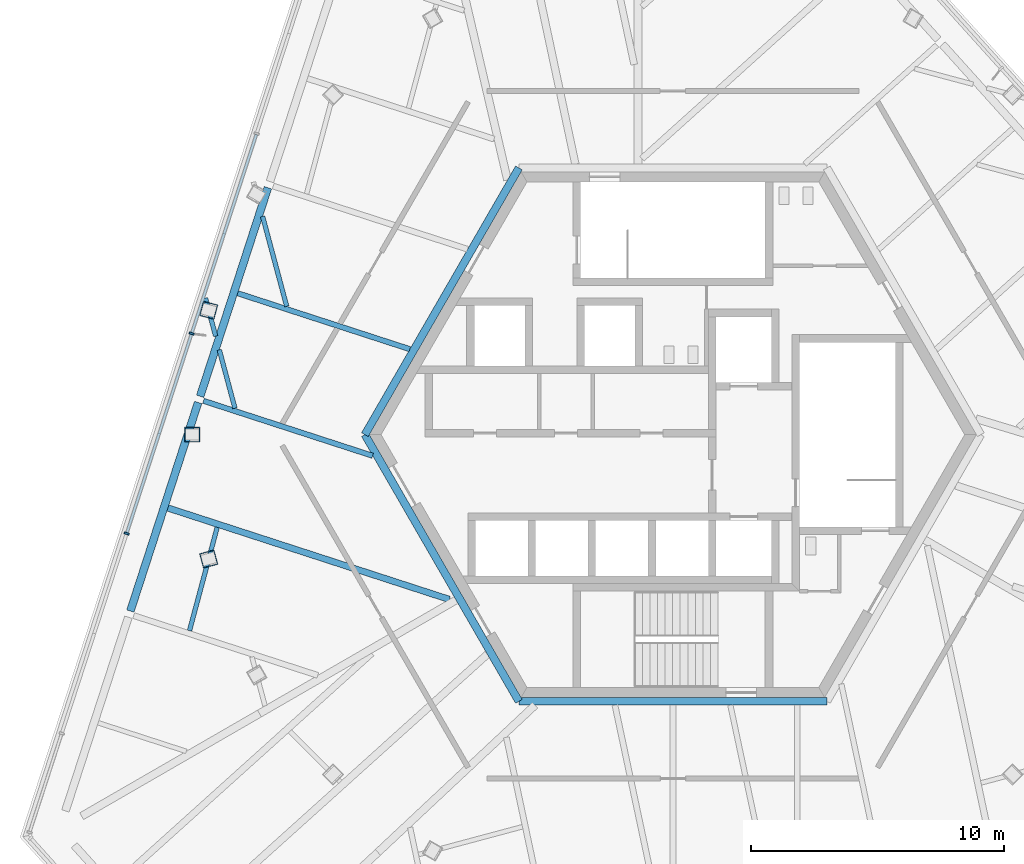
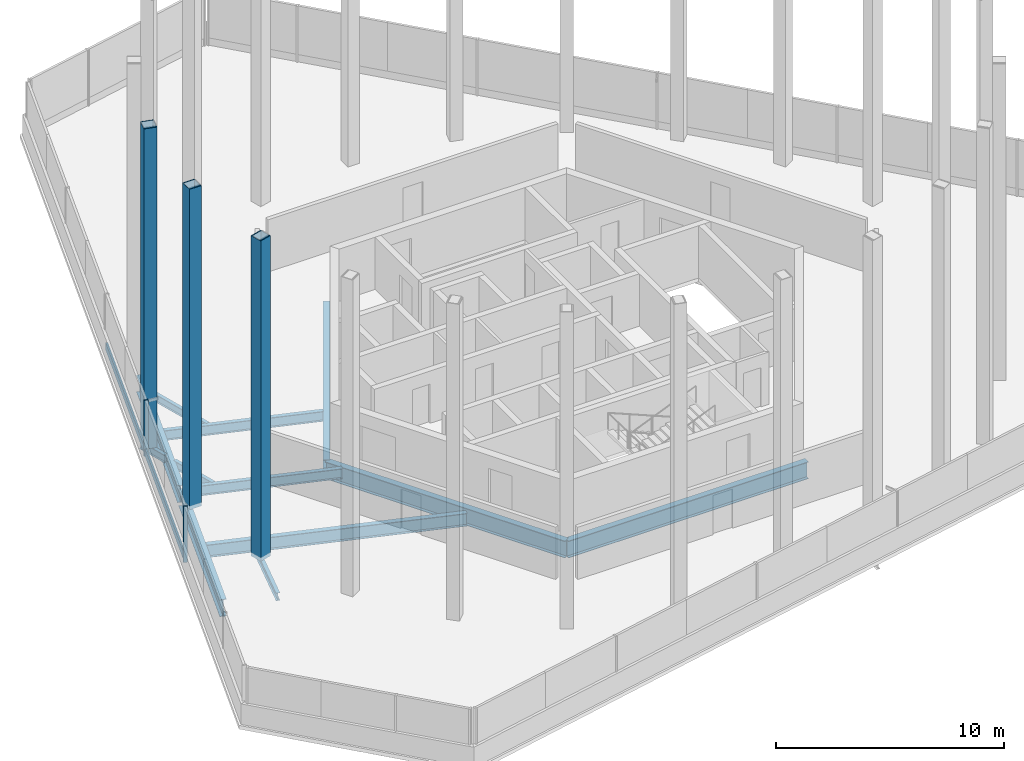
# One storey, part 2 of 11: 12 beams, 7 members, 1 element without a shape of its own.
"""IFC4 building model written with IfcOpenShell, lengths in metres."""

from ifc_helpers import new_model, si_unit, direction, frame, origin, origin_2d, place, context, subcontext, project, spatial, rectangle, hollow_rectangle, i_section, extrude, source, transform, mapped, material, material_profile, profile_set, type_object, element, aggregate, save


model = new_model("IFC4")

# Units and contexts
model_context = context("Model", 3, precision=1e-05, world=origin(), true_north=direction((0.0, 1.0)))
body_context = subcontext(model_context, "Body", "Model", "MODEL_VIEW")
ifc_project = project(units=[si_unit("LENGTHUNIT", "METRE"), si_unit("AREAUNIT", "SQUARE_METRE"), si_unit("VOLUMEUNIT", "CUBIC_METRE"), si_unit("PLANEANGLEUNIT", "RADIAN"), si_unit("MASSUNIT", "GRAM", prefix="KILO")], contexts=[model_context])

# Site, building, storey
site_placement = place(None, origin())
site = spatial("IfcSite", under=ifc_project, at=site_placement, CompositionType="ELEMENT")
building_placement = place(site_placement, origin())
building = spatial("IfcBuilding", under=site, at=building_placement, Name="Triune Harvest Tower", CompositionType="ELEMENT")
storey_placement = place(building_placement, frame((0.0, 0.0, 296.699951171875)))
storey = spatial("IfcBuildingStorey", under=building, at=storey_placement, Name="L78", CompositionType="ELEMENT", Elevation=296.699951171875)

# Beams
ifc_material_1 = material(Name="Steel ASTM A992 Gr 50", Category="steel")
ifc_material_profile_1 = material_profile(ifc_material_1, i_section(OverallWidth=0.180908203125, OverallDepth=0.41650390625, WebThickness=0.010986328125, FlangeThickness=0.01806640625, at=origin_2d()), Name="W16x57")
ifc_profile_set_1 = profile_set([ifc_material_profile_1], Name="Steel ASTM A992 Gr 50")
beam_type_1 = type_object("IfcBeamType", Name="CJ-1 Crown deck joist W16x57", PredefinedType="JOIST", material=ifc_profile_set_1)
beam_1_placement = place(storey_placement, frame((-18.078369140625, 3.893798828125, -0.408203125), z_axis=(-0.258704793156, 0.965956432764, 0.0), x_axis=(-0.965956432764, -0.258704793156, 0.0)))
element("IfcBeam", 1, at=beam_1_placement, inside=storey, type_object=beam_type_1, Name="beam/L78/CR14", PredefinedType="JOIST", context=body_context, shape_type="SweptSolid", body=[
    extrude(i_section(OverallWidth=0.180908203125, OverallDepth=0.41650390625, WebThickness=0.010986328125, FlangeThickness=0.01806640625, at=origin_2d()), origin(), (0.0, 0.0, 1.0), 1.56005859375),
])
ifc_material_2 = material(Name="Steel ASTM A992 Gr 50", Category="steel")
ifc_material_profile_2 = material_profile(ifc_material_2, i_section(OverallWidth=0.180908203125, OverallDepth=0.41650390625, WebThickness=0.010986328125, FlangeThickness=0.01806640625, at=origin_2d()), Name="W16x57")
ifc_profile_set_2 = profile_set([ifc_material_profile_2], Name="Steel ASTM A992 Gr 50")
beam_type_2 = type_object("IfcBeamType", Name="JT-1 Floor joist W16x57", PredefinedType="JOIST", material=ifc_profile_set_2)
beam_2_placement = place(storey_placement, frame((-18.017333984375, -3.66650390625, -0.408203125), z_axis=(-0.25883035802, -0.965922794931, 0.0), x_axis=(0.965922794931, -0.25883035802, 0.0)))
element("IfcBeam", 2, at=beam_2_placement, inside=storey, type_object=beam_type_2, Name="beam/L78/CR16", PredefinedType="JOIST", context=body_context, shape_type="SweptSolid", body=[
    extrude(i_section(OverallWidth=0.180908203125, OverallDepth=0.41650390625, WebThickness=0.010986328125, FlangeThickness=0.01806640625, at=origin_2d()), origin(), (0.0, 0.0, 1.0), 4.228515625),
])
ifc_material_3 = material(Name="Steel ASTM A992 Gr 50", Category="steel")
ifc_material_profile_3 = material_profile(ifc_material_3, i_section(OverallWidth=0.3046875, OverallDepth=0.914306640625, WebThickness=0.0166015625, FlangeThickness=0.02587890625, at=origin_2d()), Name="W36x160")
ifc_profile_set_3 = profile_set([ifc_material_profile_3], Name="Steel ASTM A992 Gr 50")
beam_type_3 = type_object("IfcBeamType", Name="CG-1 Core ring girder W36x160", PredefinedType="BEAM", material=ifc_profile_set_3)
shared_shape_1 = source(origin(), body_context, "Body", "SweptSolid", [
    extrude(i_section(OverallWidth=0.3046875, OverallDepth=0.914306640625, WebThickness=0.0166015625, FlangeThickness=0.02587890625, at=origin_2d()), origin(), (0.0, 0.0, 1.0), 12.176025390625),
])
for number, where, z_axis, x_axis, name in (
    (3, (-6.087890625, 10.544677734375, -0.6572265625), (-0.5000099932, -0.866019634131, 0.0), (0.866019634131, -0.5000099932, 0.0), "beam/L78/CG3"),
    (4, (-12.176025390625, 0.0, -0.6572265625), (0.5000099932, -0.866019634131, 0.0), (0.866019634131, 0.5000099932, 0.0), "beam/L78/CG4"),
):
    element("IfcBeam", number, at=place(storey_placement, frame(where, z_axis=z_axis, x_axis=x_axis)), inside=storey, type_object=beam_type_3, Name=name, PredefinedType="BEAM", context=body_context, shape_type="MappedRepresentation", body=[
        mapped(shared_shape_1, transform((0.0, 0.0, 0.0), scale=1.0)),
    ])
shared_shape_2 = source(origin(), body_context, "Body", "SweptSolid", [
    extrude(i_section(OverallWidth=0.3046875, OverallDepth=0.914306640625, WebThickness=0.0166015625, FlangeThickness=0.02587890625, at=origin_2d()), origin(), (0.0, 0.0, 1.0), 12.17578125),
])
beam_3_placement = place(storey_placement, frame((-6.087890625, -10.544677734375, -0.6572265625), z_axis=(1.0, 0.0, 0.0), x_axis=(0.0, 1.0, 0.0)))
element("IfcBeam", 5, at=beam_3_placement, inside=storey, type_object=beam_type_3, Name="beam/L78/CG5", PredefinedType="BEAM", context=body_context, shape_type="MappedRepresentation", body=[
    mapped(shared_shape_2, transform((0.0, 0.0, 0.0), scale=1.0)),
])
ifc_material_4 = material(Name="Steel ASTM A992 Gr 50", Category="steel")
ifc_material_profile_4 = material_profile(ifc_material_4, i_section(OverallWidth=0.3046875, OverallDepth=0.914306640625, WebThickness=0.0166015625, FlangeThickness=0.02587890625, at=origin_2d()), Name="W36x160")
ifc_profile_set_4 = profile_set([ifc_material_profile_4], Name="Steel ASTM A992 Gr 50")
beam_type_4 = type_object("IfcBeamType", Name="SB-1 Spandrel beam W36x160", PredefinedType="SPANDREL", material=ifc_profile_set_4)
shared_shape_3 = source(origin(), body_context, "Body", "SweptSolid", [
    extrude(i_section(OverallWidth=0.3046875, OverallDepth=0.914306640625, WebThickness=0.0166015625, FlangeThickness=0.02587890625, at=origin_2d()), origin(), (0.0, 0.0, 1.0), 8.67138671875),
])
for number, where, z_axis, x_axis, name in (
    (6, (-16.011474609375, 9.76123046875, -0.6572265625), (-0.309030684676, -0.951052067938, 0.0), (0.951052067938, -0.309030684676, 0.0), "beam/L78/SB10"),
    (7, (-18.7705078125, 1.270263671875, -0.6572265625), (-0.309022409974, -0.951054756643, 0.0), (0.951054756643, -0.309022409974, 0.0), "beam/L78/SB11"),
):
    element("IfcBeam", number, at=place(storey_placement, frame(where, z_axis=z_axis, x_axis=x_axis)), inside=storey, type_object=beam_type_4, Name=name, PredefinedType="SPANDREL", context=body_context, shape_type="MappedRepresentation", body=[
        mapped(shared_shape_3, transform((0.0, 0.0, 0.0), scale=1.0)),
    ])
ifc_material_5 = material(Name="Steel ASTM A992 Gr 50", Category="steel")
ifc_material_profile_5 = material_profile(ifc_material_5, i_section(OverallWidth=0.253662109375, OverallDepth=0.683349609375, WebThickness=0.012451171875, FlangeThickness=0.01904296875, at=origin_2d()), Name="W27x94")
ifc_profile_set_5 = profile_set([ifc_material_profile_5], Name="Steel ASTM A992 Gr 50")
beam_type_5 = type_object("IfcBeamType", Name="JT-4 Floor joist W27x94", PredefinedType="JOIST", material=ifc_profile_set_5)
shared_shape_4 = source(origin(), body_context, "Body", "SweptSolid", [
    extrude(i_section(OverallWidth=0.253662109375, OverallDepth=0.683349609375, WebThickness=0.012451171875, FlangeThickness=0.01904296875, at=origin_2d()), origin(), (0.0, 0.0, 1.0), 11.70068359375),
])
beam_4_placement = place(storey_placement, frame((-19.96533203125, -2.900390625, -0.54150390625), z_axis=(0.951055533623, -0.309020018713, 0.0), x_axis=(0.309020018713, 0.951055533623, 0.0)))
element("IfcBeam", 8, at=beam_4_placement, inside=storey, type_object=beam_type_5, Name="beam/L78/JT18", PredefinedType="JOIST", context=body_context, shape_type="MappedRepresentation", body=[
    mapped(shared_shape_4, transform((0.0, 0.0, 0.0), scale=1.0)),
])
ifc_material_6 = material(Name="Steel ASTM A992 Gr 50", Category="steel")
ifc_material_profile_6 = material_profile(ifc_material_6, i_section(OverallWidth=0.2099609375, OverallDepth=0.535888671875, WebThickness=0.010986328125, FlangeThickness=0.017333984375, at=origin_2d()), Name="W21x68")
ifc_profile_set_6 = profile_set([ifc_material_profile_6], Name="Steel ASTM A992 Gr 50")
beam_type_6 = type_object("IfcBeamType", Name="JT-2 Floor joist W21x68", PredefinedType="JOIST", material=ifc_profile_set_6)
shared_shape_5 = source(origin(), body_context, "Body", "SweptSolid", [
    extrude(i_section(OverallWidth=0.2099609375, OverallDepth=0.535888671875, WebThickness=0.010986328125, FlangeThickness=0.017333984375, at=origin_2d()), origin(), (0.0, 0.0, 1.0), 7.15576171875),
])
beam_5_placement = place(storey_placement, frame((-17.206298828125, 5.5908203125, -0.468017578125), z_axis=(0.95104785783, -0.30904364112, 0.0), x_axis=(0.30904364112, 0.95104785783, 0.0)))
element("IfcBeam", 9, at=beam_5_placement, inside=storey, type_object=beam_type_6, Name="beam/L78/JT16", PredefinedType="JOIST", context=body_context, shape_type="MappedRepresentation", body=[
    mapped(shared_shape_5, transform((0.0, 0.0, 0.0), scale=1.0)),
])
shared_shape_6 = source(origin(), body_context, "Body", "SweptSolid", [
    extrude(i_section(OverallWidth=0.2099609375, OverallDepth=0.535888671875, WebThickness=0.010986328125, FlangeThickness=0.017333984375, at=origin_2d()), origin(), (0.0, 0.0, 1.0), 7.03515625),
])
beam_6_placement = place(storey_placement, frame((-18.559326171875, 1.336669921875, -0.468017578125), z_axis=(0.951053958357, -0.309024866787, 0.0), x_axis=(0.309024866787, 0.951053958357, 0.0)))
element("IfcBeam", 10, at=beam_6_placement, inside=storey, type_object=beam_type_6, Name="beam/L78/JT17", PredefinedType="JOIST", context=body_context, shape_type="MappedRepresentation", body=[
    mapped(shared_shape_6, transform((0.0, 0.0, 0.0), scale=1.0)),
])
shared_shape_7 = source(origin(), body_context, "Body", "SweptSolid", [
    extrude(i_section(OverallWidth=0.180908203125, OverallDepth=0.41650390625, WebThickness=0.010986328125, FlangeThickness=0.01806640625, at=origin_2d()), origin(), (0.0, 0.0, 1.0), 3.679931640625),
])
beam_7_placement = place(storey_placement, frame((-16.22021484375, 8.625732421875, -0.408203125), z_axis=(0.258814570088, -0.965927025355, 0.0), x_axis=(0.965927025355, 0.258814570088, 0.0)))
element("IfcBeam", 11, at=beam_7_placement, inside=storey, type_object=beam_type_2, Name="beam/L78/CR13", PredefinedType="JOIST", context=body_context, shape_type="MappedRepresentation", body=[
    mapped(shared_shape_7, transform((0.0, 0.0, 0.0), scale=1.0)),
])
shared_shape_8 = source(origin(), body_context, "Body", "SweptSolid", [
    extrude(i_section(OverallWidth=0.180908203125, OverallDepth=0.41650390625, WebThickness=0.010986328125, FlangeThickness=0.01806640625, at=origin_2d()), origin(), (0.0, 0.0, 1.0), 2.392333984375),
])
beam_8_placement = place(storey_placement, frame((-17.933349609375, 3.353271484375, -0.408203125), z_axis=(0.258805799854, -0.965929375245, 0.0), x_axis=(0.965929375245, 0.258805799854, 0.0)))
element("IfcBeam", 12, at=beam_8_placement, inside=storey, type_object=beam_type_2, Name="beam/L78/CR15", PredefinedType="JOIST", context=body_context, shape_type="MappedRepresentation", body=[
    mapped(shared_shape_8, transform((0.0, 0.0, 0.0), scale=1.0)),
])

# Curtain wall, members
ifc_material_7 = material(Name="Aluminium bronze anodised", Category="aluminium")
curtain_wall_type = type_object("IfcCurtainWallType", Name="CW-5 Plant louvre wall", PredefinedType="NOTDEFINED", material=ifc_material_7)
curtain_wall_placement = place(storey_placement, origin())
curtain_wall = element("IfcCurtainWall", 13, at=curtain_wall_placement, inside=storey, type_object=curtain_wall_type, Name="CW-5 CP-F3 L78 run 1")
ifc_material_8 = material(Name="Aluminium bronze anodised", Category="aluminium")
ifc_material_profile_7 = material_profile(ifc_material_8, rectangle(XDim=0.199951171875, YDim=0.080078125, at=origin_2d()), Name="MU-5 mullion 80 x 200")
ifc_profile_set_7 = profile_set([ifc_material_profile_7], Name="Aluminium bronze anodised")
member_type_1 = type_object("IfcMemberType", Name="MU-5 mullion 80 x 200", PredefinedType="MULLION", material=ifc_profile_set_7)
shared_shape_9 = source(origin(), body_context, "Body", "SweptSolid", [
    extrude(rectangle(XDim=0.199951171875, YDim=0.080078125, at=origin_2d()), origin(), (0.0, 0.0, 1.0), 3.0),
])
member_1_placement = place(storey_placement, frame((-19.02587890625, 3.9970703125, 0.0), z_axis=(0.0, 0.0, 1.0), x_axis=(0.951056724042, -0.309016354995, 0.0)))
member_1 = element("IfcMember", 14, at=member_1_placement, type_object=member_type_1, Name="CW-5 mullion CP-F3 1.7", PredefinedType="MULLION", context=body_context, shape_type="MappedRepresentation", body=[
    mapped(shared_shape_9, transform((0.0, 0.0, 0.0), scale=1.0)),
])
member_2_placement = place(storey_placement, frame((-21.594482421875, -3.90771484375, 0.0), z_axis=(0.0, 0.0, 1.0), x_axis=(0.951056724042, -0.309016354995, 0.0)))
member_2 = element("IfcMember", 15, at=member_2_placement, type_object=member_type_1, Name="CW-5 mullion CP-F3 1.9", PredefinedType="MULLION", context=body_context, shape_type="MappedRepresentation", body=[
    mapped(shared_shape_9, transform((0.0, 0.0, 0.0), scale=1.0)),
])
ifc_material_9 = material(Name="Aluminium bronze anodised", Category="aluminium")
ifc_material_profile_8 = material_profile(ifc_material_9, rectangle(XDim=0.10009765625, YDim=0.39990234375, at=origin_2d()), Name="TR-5 transom 100 x 400")
ifc_profile_set_8 = profile_set([ifc_material_profile_8], Name="Aluminium bronze anodised")
member_type_2 = type_object("IfcMemberType", Name="TR-5 transom 100 x 400", PredefinedType="USERDEFINED", material=ifc_profile_set_8)
shared_shape_10 = source(origin(), body_context, "Body", "SweptSolid", [
    extrude(rectangle(XDim=0.10009765625, YDim=0.39990234375, at=origin_2d()), origin(), (0.0, 0.0, 1.0), 8.2314453125),
])
member_3_placement = place(storey_placement, frame((-16.469970703125, 11.86376953125, 0.199951171875), z_axis=(-0.309020348313, -0.951055426528, 0.0), x_axis=(0.951055426528, -0.309020348313, 0.0)))
member_3 = element("IfcMember", 16, at=member_3_placement, type_object=member_type_2, Name="CW-5 transom CP-F3 1.3", ObjectType="TRANSOM", PredefinedType="USERDEFINED", context=body_context, shape_type="MappedRepresentation", body=[
    mapped(shared_shape_10, transform((0.0, 0.0, 0.0), scale=1.0)),
])
member_4_placement = place(storey_placement, frame((-19.038330078125, 3.958984375, 0.199951171875), z_axis=(-0.309020348313, -0.951055426528, 0.0), x_axis=(0.951055426528, -0.309020348313, 0.0)))
member_4 = element("IfcMember", 17, at=member_4_placement, type_object=member_type_2, Name="CW-5 transom CP-F3 1.4", ObjectType="TRANSOM", PredefinedType="USERDEFINED", context=body_context, shape_type="MappedRepresentation", body=[
    mapped(shared_shape_10, transform((0.0, 0.0, 0.0), scale=1.0)),
])
aggregate(curtain_wall, [member_1, member_2, member_3, member_4])

# Members
ifc_material_10 = material(Name="Steel ASTM A572 Gr 50", Category="steel")
ifc_material_profile_9 = material_profile(ifc_material_10, hollow_rectangle(XDim=0.60009765625, YDim=0.60009765625, WallThickness=0.030029296875, at=origin_2d()), Name="Box 600x600x30")
ifc_profile_set_9 = profile_set([ifc_material_profile_9], Name="Steel ASTM A572 Gr 50")
member_type_3 = type_object("IfcMemberType", Name="CF-1 Crown frame column Box 600x600x30", PredefinedType="POST", material=ifc_profile_set_9)
shared_shape_11 = source(origin(), body_context, "Body", "SweptSolid", [
    extrude(hollow_rectangle(XDim=0.60009765625, YDim=0.60009765625, WallThickness=0.030029296875, at=origin_2d()), origin(), (0.0, 0.0, 1.0), 17.175048828125),
])
for number, where, z_axis, x_axis, name in (
    (18, (-18.3525390625, 4.91748046875, -0.199951171875), (0.0, 0.0, 1.0), (-0.258819045103, -0.965925826289, 0.0), "CROWN FRAME post 12"),
    (19, (-19.0, 0.0, -0.199951171875), (0.0, 0.0, 1.0), (0.0, -1.0, 0.0), "CROWN FRAME post 13"),
    (20, (-18.3525390625, -4.91748046875, -0.199951171875), (0.0, 0.0, 1.0), (0.258819045103, -0.965925826289, 0.0), "CROWN FRAME post 14"),
):
    element("IfcMember", number, at=place(storey_placement, frame(where, z_axis=z_axis, x_axis=x_axis)), inside=storey, type_object=member_type_3, Name=name, PredefinedType="POST", context=body_context, shape_type="MappedRepresentation", body=[
        mapped(shared_shape_11, transform((0.0, 0.0, 0.0), scale=1.0)),
    ])

save(model, "model.ifc")
